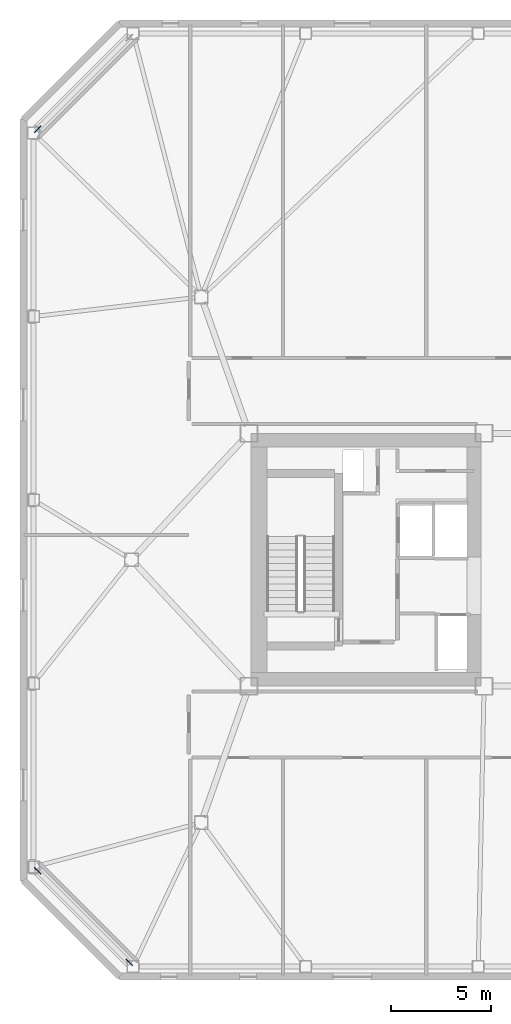
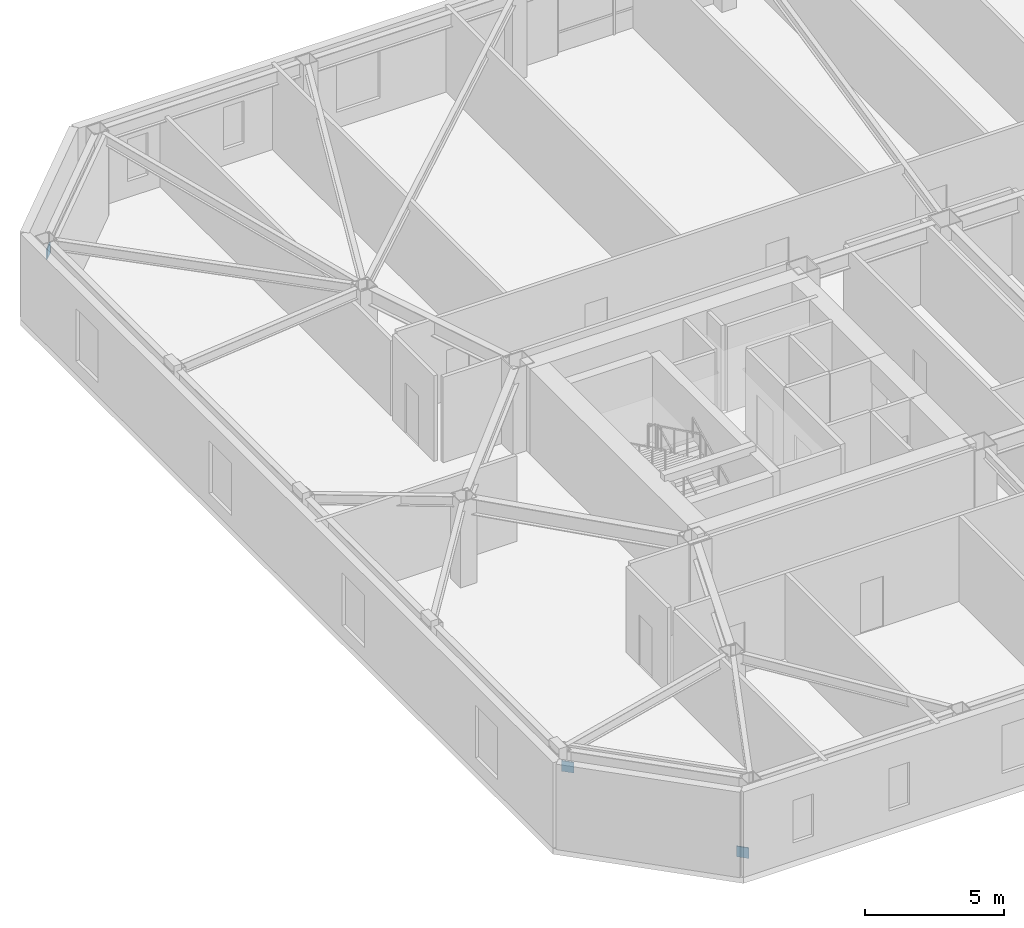
# One storey, part 15 of 18: 3 discrete accessories.
"""IFC4 building model written with IfcOpenShell, lengths in metres."""

from ifc_helpers import new_model, si_unit, direction, frame, origin, origin_2d, place, context, subcontext, project, spatial, rectangle, extrude, material, type_object, element, save


model = new_model("IFC4")

# Units and contexts
model_context = context("Model", 3, precision=1e-05, world=origin(), true_north=direction((0.0, 1.0)))
body_context = subcontext(model_context, "Body", "Model", "MODEL_VIEW")
ifc_project = project(units=[si_unit("LENGTHUNIT", "METRE"), si_unit("AREAUNIT", "SQUARE_METRE"), si_unit("VOLUMEUNIT", "CUBIC_METRE"), si_unit("PLANEANGLEUNIT", "RADIAN"), si_unit("MASSUNIT", "GRAM", prefix="KILO")], contexts=[model_context])

# Site, building, storey
site_placement = place(None, origin())
site = spatial("IfcSite", under=ifc_project, at=site_placement, CompositionType="ELEMENT")
building_placement = place(site_placement, origin())
building = spatial("IfcBuilding", under=site, at=building_placement, Name="Tavrogorsk Clinical Tower", CompositionType="ELEMENT")
storey_placement = place(building_placement, frame((0.0, 0.0, 192.199951171875)))
storey = spatial("IfcBuildingStorey", under=building, at=storey_placement, Name="L44", CompositionType="ELEMENT", Elevation=192.199951171875)

# Discrete accessories
ifc_material = material(Name="Structural steel S440", Category="steel")
discrete_accessory_type = type_object("IfcDiscreteAccessoryType", Name="GussetPlateBracket_25", PredefinedType="BRACKET", material=ifc_material)
for number, where, z_axis, x_axis, name in (
    (1, (-32.717529296875, 21.62255859375, 2.7470703125), (0.0, 0.0, 1.0), (-0.707106781187, -0.707106781187, 0.0), "L44 Brace Gusset Plate EXOCRN-L44-3-B"),
    (2, (-28.12255859375, -20.217529296875, 0.18310546875), (0.0, 0.0, 1.0), (-0.707106781187, 0.707106781187, 0.0), "L44 Brace Gusset Plate EXOCRN-L44-4-A"),
    (3, (-32.717529296875, -15.62255859375, 2.7470703125), (0.0, 0.0, 1.0), (-0.707106781187, 0.707106781187, 0.0), "L44 Brace Gusset Plate EXOCRN-L44-4-B"),
):
    element("IfcDiscreteAccessory", number, at=place(storey_placement, frame(where, z_axis=z_axis, x_axis=x_axis)), inside=storey, type_object=discrete_accessory_type, Name=name, PredefinedType="BRACKET", context=body_context, shape_type="SweptSolid", body=[
        extrude(rectangle(XDim=0.4599609375, YDim=0.0400390625, at=origin_2d()), origin(), (0.0, 0.0, 1.0), 0.4599609375),
    ])

save(model, "model.ifc")
